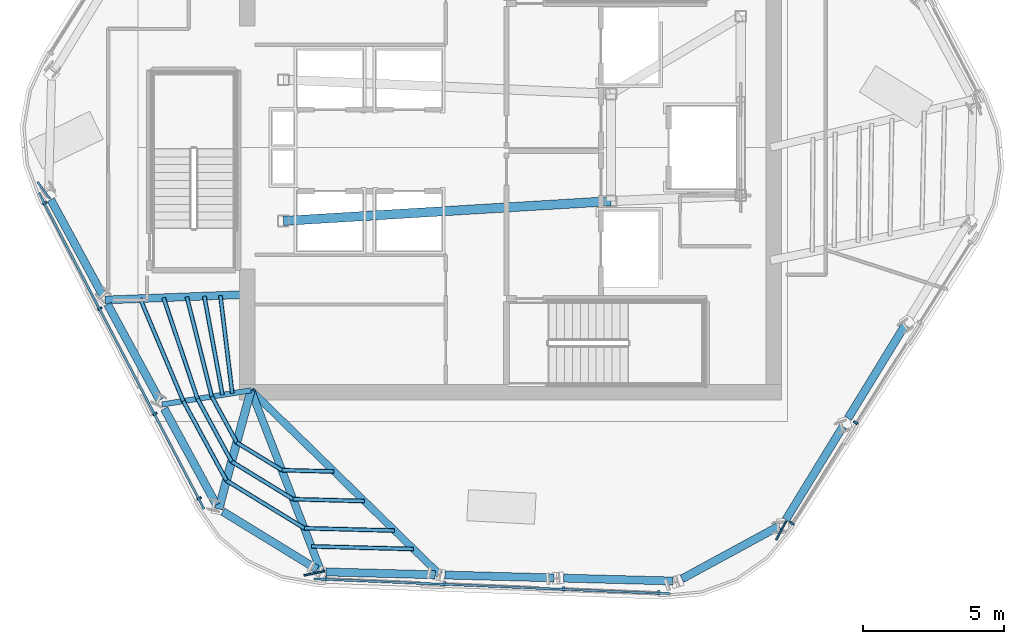
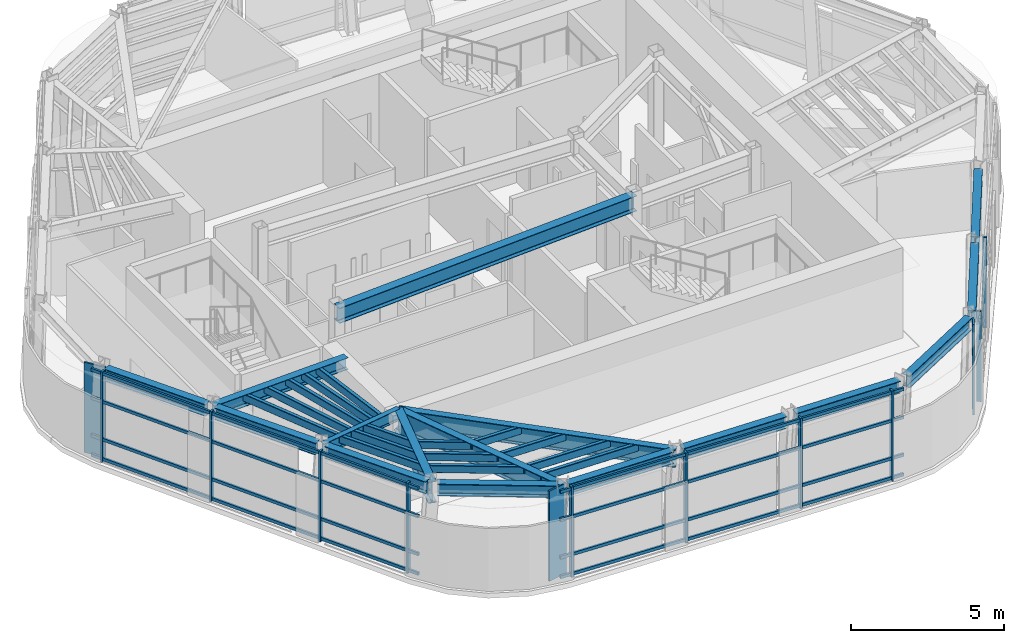
# One storey, part 2 of 13: 36 members, 16 beams, 3 elements without a shape of their own.
"""IFC4 building model written with IfcOpenShell, lengths in metres."""

from ifc_helpers import new_model, si_unit, direction, frame, origin, origin_2d, place, context, subcontext, project, spatial, rectangle, hollow_rectangle, i_section, extrude, material, layer, layer_set, material_profile, profile_set, type_object, element, aggregate, save


model = new_model("IFC4")

# Units and contexts
model_context = context("Model", 3, precision=1e-05, world=origin(), true_north=direction((0.0, 1.0)))
body_context = subcontext(model_context, "Body", "Model", "MODEL_VIEW")
ifc_project = project(units=[si_unit("LENGTHUNIT", "METRE"), si_unit("AREAUNIT", "SQUARE_METRE"), si_unit("VOLUMEUNIT", "CUBIC_METRE"), si_unit("PLANEANGLEUNIT", "RADIAN"), si_unit("MASSUNIT", "GRAM", prefix="KILO")], contexts=[model_context])

# Site, building, storey
site_placement = place(None, origin())
site = spatial("IfcSite", under=ifc_project, at=site_placement, CompositionType="ELEMENT")
building_placement = place(site_placement, origin())
building = spatial("IfcBuilding", under=site, at=building_placement, Name="Valkerne Bourse Tower", CompositionType="ELEMENT")
storey_placement = place(building_placement, frame((0.0, 0.0, 273.60009765625)))
storey = spatial("IfcBuildingStorey", under=building, at=storey_placement, Name="L69", CompositionType="ELEMENT", Elevation=273.60009765625)

# Beams
ifc_material_1 = material(Name="Steel ASTM A992", Category="steel")
ifc_material_profile_1 = material_profile(ifc_material_1, i_section(OverallWidth=0.284423828125, OverallDepth=0.47509765625, WebThickness=0.014892578125, FlangeThickness=0.02392578125, FilletRadius=0.017822265625, at=origin_2d()), Name="W18X106")
ifc_profile_set_1 = profile_set([ifc_material_profile_1], Name="Steel ASTM A992")
beam_type_1 = type_object("IfcBeamType", Name="BM-W18X106", PredefinedType="BEAM", material=ifc_profile_set_1)
for number, where, z_axis, x_axis, name in (
    (1, (30.509521484375, 25.15087890625, 3.3623046875), (0.477172563431, -0.878809618011, 0.0), (0.878809618011, 0.477172563431, 0.0), "L69 Hexagonal Spandrel Ring Beam 08"),
    (2, (32.519287109375, 21.44921875, 3.3623046875), (0.477172563431, -0.878809618011, 0.0), (0.878809618011, 0.477172563431, 0.0), "L69 Hexagonal Spandrel Ring Beam 09"),
    (3, (34.529052734375, 17.74755859375, 3.3623046875), (0.477172563431, -0.878809618011, 0.0), (0.878809618011, 0.477172563431, 0.0), "L69 Hexagonal Spandrel Ring Beam 10"),
):
    element("IfcBeam", number, at=place(storey_placement, frame(where, z_axis=z_axis, x_axis=x_axis)), inside=storey, type_object=beam_type_1, Name=name, PredefinedType="BEAM", context=body_context, shape_type="SweptSolid", body=[
        extrude(i_section(OverallWidth=0.284423828125, OverallDepth=0.47509765625, WebThickness=0.014892578125, FlangeThickness=0.02392578125, FilletRadius=0.017822265625, at=origin_2d()), origin(), (0.0, 0.0, 1.0), 3.8720703125),
    ])
beam_1_placement = place(storey_placement, frame((36.602783203125, 14.106689453125, 3.3623046875), z_axis=(0.852613797296, -0.522541589407, 0.0), x_axis=(0.522541589407, 0.852613797296, 0.0)))
element("IfcBeam", 4, at=beam_1_placement, inside=storey, type_object=beam_type_1, Name="L69 Hexagonal Spandrel Ring Beam 11", PredefinedType="BEAM", context=body_context, shape_type="SweptSolid", body=[
    extrude(i_section(OverallWidth=0.284423828125, OverallDepth=0.47509765625, WebThickness=0.014892578125, FlangeThickness=0.02392578125, FilletRadius=0.017822265625, at=origin_2d()), origin(), (0.0, 0.0, 1.0), 3.915771484375),
])
beam_2_placement = place(storey_placement, frame((40.256103515625, 11.96728515625, 3.3623046875), z_axis=(0.999657618241, -0.026165746551, 0.0), x_axis=(0.026165746551, 0.999657618241, 0.0)))
element("IfcBeam", 5, at=beam_2_placement, inside=storey, type_object=beam_type_1, Name="L69 Hexagonal Spandrel Ring Beam 12", PredefinedType="BEAM", context=body_context, shape_type="SweptSolid", body=[
    extrude(i_section(OverallWidth=0.284423828125, OverallDepth=0.47509765625, WebThickness=0.014892578125, FlangeThickness=0.02392578125, FilletRadius=0.017822265625, at=origin_2d()), origin(), (0.0, 0.0, 1.0), 3.8720703125),
])
beam_3_placement = place(storey_placement, frame((44.466796875, 11.857177734375, 3.3623046875), z_axis=(0.99965757507, -0.02616739584, 0.0), x_axis=(0.02616739584, 0.99965757507, 0.0)))
element("IfcBeam", 6, at=beam_3_placement, inside=storey, type_object=beam_type_1, Name="L69 Hexagonal Spandrel Ring Beam 13", PredefinedType="BEAM", context=body_context, shape_type="SweptSolid", body=[
    extrude(i_section(OverallWidth=0.284423828125, OverallDepth=0.47509765625, WebThickness=0.014892578125, FlangeThickness=0.02392578125, FilletRadius=0.017822265625, at=origin_2d()), origin(), (0.0, 0.0, 1.0), 3.871826171875),
])
beam_4_placement = place(storey_placement, frame((48.67724609375, 11.746826171875, 3.3623046875), z_axis=(0.999657618241, -0.026165746551, 0.0), x_axis=(0.026165746551, 0.999657618241, 0.0)))
element("IfcBeam", 7, at=beam_4_placement, inside=storey, type_object=beam_type_1, Name="L69 Hexagonal Spandrel Ring Beam 14", PredefinedType="BEAM", context=body_context, shape_type="SweptSolid", body=[
    extrude(i_section(OverallWidth=0.284423828125, OverallDepth=0.47509765625, WebThickness=0.014892578125, FlangeThickness=0.02392578125, FilletRadius=0.017822265625, at=origin_2d()), origin(), (0.0, 0.0, 1.0), 3.8720703125),
])
beam_5_placement = place(storey_placement, frame((52.867431640625, 11.72216796875, 3.3623046875), z_axis=(0.878816082178, 0.47716065817, 0.0), x_axis=(-0.47716065817, 0.878816082178, 0.0)))
element("IfcBeam", 8, at=beam_5_placement, inside=storey, type_object=beam_type_1, Name="L69 Hexagonal Spandrel Ring Beam 15", PredefinedType="BEAM", context=body_context, shape_type="SweptSolid", body=[
    extrude(i_section(OverallWidth=0.284423828125, OverallDepth=0.47509765625, WebThickness=0.014892578125, FlangeThickness=0.02392578125, FilletRadius=0.017822265625, at=origin_2d()), origin(), (0.0, 0.0, 1.0), 3.915771484375),
])
for number, where, z_axis, x_axis, name in (
    (9, (56.546630859375, 13.816650390625, 3.3623046875), (0.522502916633, 0.852637497481, 0.0), (-0.852637497481, 0.522502916633, 0.0), "L69 Hexagonal Spandrel Ring Beam 16"),
    (10, (58.74755859375, 17.407958984375, 3.3623046875), (0.52245707694, 0.852665586708, 0.0), (-0.852665586708, 0.52245707694, 0.0), "L69 Hexagonal Spandrel Ring Beam 17"),
):
    element("IfcBeam", number, at=place(storey_placement, frame(where, z_axis=z_axis, x_axis=x_axis)), inside=storey, type_object=beam_type_1, Name=name, PredefinedType="BEAM", context=body_context, shape_type="SweptSolid", body=[
        extrude(i_section(OverallWidth=0.284423828125, OverallDepth=0.47509765625, WebThickness=0.014892578125, FlangeThickness=0.02392578125, FilletRadius=0.017822265625, at=origin_2d()), origin(), (0.0, 0.0, 1.0), 3.8720703125),
    ])
ifc_material_profile_2 = material_profile(ifc_material_1, i_section(OverallWidth=0.1904296875, OverallDepth=0.457275390625, WebThickness=0.009033203125, FlangeThickness=0.014404296875, FilletRadius=0.01513671875, at=origin_2d()), Name="W18X50")
ifc_profile_set_2 = profile_set([ifc_material_profile_2], Name="Steel ASTM A992")
beam_type_2 = type_object("IfcBeamType", Name="BM-W18X50", PredefinedType="JOIST", material=ifc_profile_set_2)
beam_6_placement = place(storey_placement, frame((34.447998046875, 17.89697265625, 3.371337890625), z_axis=(0.987509268388, 0.157560924241, 0.0), x_axis=(-0.157560924241, 0.987509268388, 0.0)))
element("IfcBeam", 11, at=beam_6_placement, inside=storey, type_object=beam_type_2, Name="L69 Radial Composite Floor Beam 10", PredefinedType="JOIST", context=body_context, shape_type="SweptSolid", body=[
    extrude(i_section(OverallWidth=0.1904296875, OverallDepth=0.457275390625, WebThickness=0.009033203125, FlangeThickness=0.014404296875, FilletRadius=0.01513671875, at=origin_2d()), origin(), (0.0, 0.0, 1.0), 3.19189453125),
])
ifc_material_profile_3 = material_profile(ifc_material_1, i_section(OverallWidth=0.279296875, OverallDepth=0.46240234375, WebThickness=0.0107421875, FlangeThickness=0.017333984375, FilletRadius=0.017822265625, at=origin_2d()), Name="W18X76")
ifc_profile_set_3 = profile_set([ifc_material_profile_3], Name="Steel ASTM A992")
beam_type_3 = type_object("IfcBeamType", Name="BM-W18X76", PredefinedType="BEAM", material=ifc_profile_set_3)
beam_7_placement = place(storey_placement, frame((32.438232421875, 21.5986328125, 3.36865234375), z_axis=(0.999239587762, 0.038990335331, 0.0), x_axis=(-0.038990335331, 0.999239587762, 0.0)))
element("IfcBeam", 12, at=beam_7_placement, inside=storey, type_object=beam_type_3, Name="L69 Radial Composite Floor Beam 09", PredefinedType="BEAM", context=body_context, shape_type="SweptSolid", body=[
    extrude(i_section(OverallWidth=0.279296875, OverallDepth=0.46240234375, WebThickness=0.0107421875, FlangeThickness=0.017333984375, FilletRadius=0.017822265625, at=origin_2d()), origin(), (0.0, 0.0, 1.0), 5.165771484375),
])
ifc_material_profile_4 = material_profile(ifc_material_1, i_section(OverallWidth=0.3251953125, OverallDepth=0.612060546875, WebThickness=0.0126953125, FlangeThickness=0.01904296875, FilletRadius=0.020263671875, at=origin_2d()), Name="W24X104")
ifc_profile_set_4 = profile_set([ifc_material_profile_4], Name="Steel ASTM A992")
beam_type_4 = type_object("IfcBeamType", Name="BM-W24X104", PredefinedType="BEAM", material=ifc_profile_set_4)
beam_8_placement = place(storey_placement, frame((38.75, 24.39990234375, 3.293701171875), z_axis=(0.998183228389, 0.060251494276, 0.0), x_axis=(-0.060251494276, 0.998183228389, 0.0)))
element("IfcBeam", 13, at=beam_8_placement, inside=storey, type_object=beam_type_4, Name="L69 Core Frame Girder CG-SW", PredefinedType="BEAM", context=body_context, shape_type="SweptSolid", body=[
    extrude(i_section(OverallWidth=0.3251953125, OverallDepth=0.612060546875, WebThickness=0.0126953125, FlangeThickness=0.01904296875, FilletRadius=0.020263671875, at=origin_2d()), origin(), (0.0, 0.0, 1.0), 11.62109375),
])
ifc_material_profile_5 = material_profile(ifc_material_1, i_section(OverallWidth=0.255859375, OverallDepth=0.693359375, WebThickness=0.014404296875, FlangeThickness=0.023681640625, FilletRadius=0.02294921875, at=origin_2d()), Name="W27X114")
ifc_profile_set_5 = profile_set([ifc_material_profile_5], Name="Steel ASTM A992")
beam_type_5 = type_object("IfcBeamType", Name="BM-W27X114", PredefinedType="BEAM", material=ifc_profile_set_5)
beam_9_placement = place(storey_placement, frame((44.296875, 11.861572265625, 3.253173828125), z_axis=(-0.715520806461, 0.698591422451, 0.0), x_axis=(-0.698591422451, -0.715520806461, 0.0)))
element("IfcBeam", 14, at=beam_9_placement, inside=storey, type_object=beam_type_5, Name="L69 Radial Composite Floor Beam 13", PredefinedType="BEAM", context=body_context, shape_type="SweptSolid", body=[
    extrude(i_section(OverallWidth=0.255859375, OverallDepth=0.693359375, WebThickness=0.014404296875, FlangeThickness=0.023681640625, FilletRadius=0.02294921875, at=origin_2d()), origin(), (0.0, 0.0, 1.0), 9.359375),
])
ifc_material_profile_6 = material_profile(ifc_material_1, i_section(OverallWidth=0.26806640625, OverallDepth=0.76953125, WebThickness=0.015625, FlangeThickness=0.025390625, FilletRadius=0.025390625, at=origin_2d()), Name="W30X132")
ifc_profile_set_6 = profile_set([ifc_material_profile_6], Name="Steel ASTM A992")
beam_type_6 = type_object("IfcBeamType", Name="BM-W30X132", PredefinedType="BEAM", material=ifc_profile_set_6)
beam_10_placement = place(storey_placement, frame((40.086181640625, 11.9716796875, 3.215087890625), z_axis=(-0.360708877218, 0.932678457935, 0.0), x_axis=(-0.932678457935, -0.360708877218, 0.0)))
element("IfcBeam", 15, at=beam_10_placement, inside=storey, type_object=beam_type_6, Name="L69 Radial Composite Floor Beam 12", PredefinedType="BEAM", context=body_context, shape_type="SweptSolid", body=[
    extrude(i_section(OverallWidth=0.26806640625, OverallDepth=0.76953125, WebThickness=0.015625, FlangeThickness=0.025390625, FilletRadius=0.025390625, at=origin_2d()), origin(), (0.0, 0.0, 1.0), 6.892333984375),
])
ifc_material_profile_7 = material_profile(ifc_material_1, i_section(OverallWidth=0.2919921875, OverallDepth=0.8583984375, WebThickness=0.01708984375, FlangeThickness=0.031005859375, FilletRadius=0.025390625, at=origin_2d()), Name="W33X169")
ifc_profile_set_7 = profile_set([ifc_material_profile_7], Name="Steel ASTM A992")
beam_type_7 = type_object("IfcBeamType", Name="BM-W33X169", PredefinedType="BEAM", material=ifc_profile_set_7)
beam_11_placement = place(storey_placement, frame((36.457763671875, 14.1953125, 3.170654296875), z_axis=(0.262183238259, 0.965018108419, 0.0), x_axis=(-0.965018108419, 0.262183238259, 0.0)))
element("IfcBeam", 16, at=beam_11_placement, inside=storey, type_object=beam_type_7, Name="L69 Radial Composite Floor Beam 11", PredefinedType="BEAM", context=body_context, shape_type="SweptSolid", body=[
    extrude(i_section(OverallWidth=0.2919921875, OverallDepth=0.8583984375, WebThickness=0.01708984375, FlangeThickness=0.031005859375, FilletRadius=0.025390625, at=origin_2d()), origin(), (0.0, 0.0, 1.0), 4.35693359375),
])

# Curtain wall, members
ifc_material_2 = material(Name="Aluminium AA 6063-T6", Category="aluminium")
ifc_layer = layer(ifc_material_2, 0.2451171875)
ifc_layer_set = layer_set([ifc_layer], Name="Aluminium AA 6063-T6")
curtain_wall_type = type_object("IfcCurtainWallType", Name="CW-05", PredefinedType="NOTDEFINED", material=ifc_layer_set)
curtain_wall_1_placement = place(storey_placement, origin())
curtain_wall_1 = element("IfcCurtainWall", 17, at=curtain_wall_1_placement, inside=storey, type_object=curtain_wall_type, Name="L69 Hexagonal Stick Curtain Wall Face 3", PredefinedType="NOTDEFINED")
ifc_material_profile_8 = material_profile(ifc_material_2, rectangle(XDim=0.074951171875, YDim=0.159912109375, at=origin_2d()), Name="CWM-75X160")
ifc_profile_set_8 = profile_set([ifc_material_profile_8], Name="Aluminium AA 6063-T6")
member_type_1 = type_object("IfcMemberType", Name="CW-MUL-160X75", PredefinedType="MULLION", material=ifc_profile_set_8)
member_1_placement = place(storey_placement, frame((30.297119140625, 25.02783203125, 0.0), z_axis=(0.0, 0.0, 1.0), x_axis=(0.463294468527, -0.886204398225, 0.0)))
member_1 = element("IfcMember", 18, at=member_1_placement, type_object=member_type_1, Name="CW-L69-F3 Jamb Mullion 00A", PredefinedType="MULLION", context=body_context, shape_type="SweptSolid", body=[
    extrude(rectangle(XDim=0.074951171875, YDim=0.159912109375, at=origin_2d()), origin(), (0.0, 0.0, 1.0), 3.599853515625),
])
member_2_placement = place(storey_placement, frame((32.248291015625, 21.295166015625, 0.0), z_axis=(0.0, 0.0, 1.0), x_axis=(0.463294468527, -0.886204398225, 0.0)))
member_2 = element("IfcMember", 19, at=member_2_placement, type_object=member_type_1, Name="CW-L69-F3 Jamb Mullion 01A", PredefinedType="MULLION", context=body_context, shape_type="SweptSolid", body=[
    extrude(rectangle(XDim=0.074951171875, YDim=0.159912109375, at=origin_2d()), origin(), (0.0, 0.0, 1.0), 3.599853515625),
])
member_3_placement = place(storey_placement, frame((34.19970703125, 17.5625, 0.0), z_axis=(0.0, 0.0, 1.0), x_axis=(0.463294468527, -0.886204398225, 0.0)))
member_3 = element("IfcMember", 20, at=member_3_placement, type_object=member_type_1, Name="CW-L69-F3 Jamb Mullion 02A", PredefinedType="MULLION", context=body_context, shape_type="SweptSolid", body=[
    extrude(rectangle(XDim=0.074951171875, YDim=0.159912109375, at=origin_2d()), origin(), (0.0, 0.0, 1.0), 3.599853515625),
])
member_4_placement = place(storey_placement, frame((35.761962890625, 14.57421875, 0.0), z_axis=(0.0, 0.0, 1.0), x_axis=(0.463294468527, -0.886204398225, 0.0)))
member_4 = element("IfcMember", 21, at=member_4_placement, type_object=member_type_1, Name="CW-L69-F3 Jamb Mullion 02B", PredefinedType="MULLION", context=body_context, shape_type="SweptSolid", body=[
    extrude(rectangle(XDim=0.074951171875, YDim=0.159912109375, at=origin_2d()), origin(), (0.0, 0.0, 1.0), 3.599853515625),
])

curtain_wall_2_placement = place(storey_placement, origin())
curtain_wall_2 = element("IfcCurtainWall", 22, at=curtain_wall_2_placement, inside=storey, type_object=curtain_wall_type, Name="L69 Hexagonal Stick Curtain Wall Face 4", PredefinedType="NOTDEFINED")
member_5_placement = place(storey_placement, frame((40.256591796875, 11.721923828125, 0.0), z_axis=(0.0, 0.0, 1.0), x_axis=(0.999122631709, -0.041880386903, 0.0)))
member_5 = element("IfcMember", 23, at=member_5_placement, type_object=member_type_1, Name="CW-L69-F4 Jamb Mullion 00A", PredefinedType="MULLION", context=body_context, shape_type="SweptSolid", body=[
    extrude(rectangle(XDim=0.074951171875, YDim=0.159912109375, at=origin_2d()), origin(), (0.0, 0.0, 1.0), 3.599853515625),
])
member_6_placement = place(storey_placement, frame((44.46484375, 11.54541015625, 0.0), z_axis=(0.0, 0.0, 1.0), x_axis=(0.999122631709, -0.041880386903, 0.0)))
member_6 = element("IfcMember", 24, at=member_6_placement, type_object=member_type_1, Name="CW-L69-F4 Jamb Mullion 01A", PredefinedType="MULLION", context=body_context, shape_type="SweptSolid", body=[
    extrude(rectangle(XDim=0.074951171875, YDim=0.159912109375, at=origin_2d()), origin(), (0.0, 0.0, 1.0), 3.599853515625),
])
member_7_placement = place(storey_placement, frame((48.673095703125, 11.369140625, 0.0), z_axis=(0.0, 0.0, 1.0), x_axis=(0.999122631709, -0.041880386903, 0.0)))
member_7 = element("IfcMember", 25, at=member_7_placement, type_object=member_type_1, Name="CW-L69-F4 Jamb Mullion 02A", PredefinedType="MULLION", context=body_context, shape_type="SweptSolid", body=[
    extrude(rectangle(XDim=0.074951171875, YDim=0.159912109375, at=origin_2d()), origin(), (0.0, 0.0, 1.0), 3.599853515625),
])
member_8_placement = place(storey_placement, frame((52.0419921875, 11.227783203125, 0.0), z_axis=(0.0, 0.0, 1.0), x_axis=(0.999122631709, -0.041880386903, 0.0)))
member_8 = element("IfcMember", 26, at=member_8_placement, type_object=member_type_1, Name="CW-L69-F4 Jamb Mullion 02B", PredefinedType="MULLION", context=body_context, shape_type="SweptSolid", body=[
    extrude(rectangle(XDim=0.074951171875, YDim=0.159912109375, at=origin_2d()), origin(), (0.0, 0.0, 1.0), 3.599853515625),
])

curtain_wall_3_placement = place(storey_placement, origin())
curtain_wall_3 = element("IfcCurtainWall", 27, at=curtain_wall_3_placement, inside=storey, type_object=curtain_wall_type, Name="L69 Hexagonal Stick Curtain Wall Face 5", PredefinedType="NOTDEFINED")
member_9_placement = place(storey_placement, frame((56.759521484375, 13.694091796875, 0.0), z_axis=(0.0, 0.0, 1.0), x_axis=(0.535816628188, 0.844334377458, 0.0)))
member_9 = element("IfcMember", 28, at=member_9_placement, type_object=member_type_1, Name="CW-L69-F5 Jamb Mullion 00A", PredefinedType="MULLION", context=body_context, shape_type="SweptSolid", body=[
    extrude(rectangle(XDim=0.074951171875, YDim=0.159912109375, at=origin_2d()), origin(), (0.0, 0.0, 1.0), 3.599853515625),
])
member_10_placement = place(storey_placement, frame((59.016357421875, 17.25048828125, 0.0), z_axis=(0.0, 0.0, 1.0), x_axis=(0.535827369105, 0.84432756115, 0.0)))
member_10 = element("IfcMember", 29, at=member_10_placement, type_object=member_type_1, Name="CW-L69-F5 Jamb Mullion 01A", PredefinedType="MULLION", context=body_context, shape_type="SweptSolid", body=[
    extrude(rectangle(XDim=0.074951171875, YDim=0.159912109375, at=origin_2d()), origin(), (0.0, 0.0, 1.0), 3.599853515625),
])
aggregate(curtain_wall_3, [member_9, member_10])

# Member
ifc_material_profile_9 = material_profile(ifc_material_2, rectangle(XDim=0.074951171875, YDim=0.1201171875, at=origin_2d()), Name="CWT-75X120")
ifc_profile_set_9 = profile_set([ifc_material_profile_9], Name="Aluminium AA 6063-T6")
member_type_2 = type_object("IfcMemberType", Name="CW-TRN-120X75", PredefinedType="USERDEFINED", material=ifc_profile_set_9)
member_11_placement = place(storey_placement, frame((30.084716796875, 25.390625, 0.119873046875), z_axis=(0.463300767472, -0.886201105201, 0.0), x_axis=(0.886201105201, 0.463300767472, 0.0)))
member_11 = element("IfcMember", 30, at=member_11_placement, type_object=member_type_2, Name="CW-L69-F3 Continuous Face Transom 1", ObjectType="TRANSOM", PredefinedType="USERDEFINED", context=body_context, shape_type="SweptSolid", body=[
    extrude(rectangle(XDim=0.074951171875, YDim=0.1201171875, at=origin_2d()), origin(), (0.0, 0.0, 1.0), 12.635986328125),
])

member_12_placement = place(storey_placement, frame((30.084716796875, 25.390625, 0.89990234375), z_axis=(0.463300767472, -0.886201105201, 0.0), x_axis=(0.886201105201, 0.463300767472, 0.0)))
member_12 = element("IfcMember", 31, at=member_12_placement, type_object=member_type_2, Name="CW-L69-F3 Continuous Face Transom 2", ObjectType="TRANSOM", PredefinedType="USERDEFINED", context=body_context, shape_type="SweptSolid", body=[
    extrude(rectangle(XDim=0.074951171875, YDim=0.1201171875, at=origin_2d()), origin(), (0.0, 0.0, 1.0), 12.635986328125),
])

member_13_placement = place(storey_placement, frame((30.084716796875, 25.390625, 2.39990234375), z_axis=(0.463300767472, -0.886201105201, 0.0), x_axis=(0.886201105201, 0.463300767472, 0.0)))
member_13 = element("IfcMember", 32, at=member_13_placement, type_object=member_type_2, Name="CW-L69-F3 Continuous Face Transom 3", ObjectType="TRANSOM", PredefinedType="USERDEFINED", context=body_context, shape_type="SweptSolid", body=[
    extrude(rectangle(XDim=0.074951171875, YDim=0.1201171875, at=origin_2d()), origin(), (0.0, 0.0, 1.0), 12.635986328125),
])

member_14_placement = place(storey_placement, frame((30.084716796875, 25.390625, 3.52001953125), z_axis=(0.463300767472, -0.886201105201, 0.0), x_axis=(0.886201105201, 0.463300767472, 0.0)))
member_14 = element("IfcMember", 33, at=member_14_placement, type_object=member_type_2, Name="CW-L69-F3 Continuous Face Transom 4", ObjectType="TRANSOM", PredefinedType="USERDEFINED", context=body_context, shape_type="SweptSolid", body=[
    extrude(rectangle(XDim=0.074951171875, YDim=0.1201171875, at=origin_2d()), origin(), (0.0, 0.0, 1.0), 12.635986328125),
])

aggregate(curtain_wall_1, [member_11, member_12, member_13, member_14, member_1, member_2, member_3, member_4])

member_15_placement = place(storey_placement, frame((39.8359375, 11.719482421875, 0.119873046875), z_axis=(0.999122324767, -0.041887708851, 0.0), x_axis=(0.041887708851, 0.999122324767, 0.0)))
member_15 = element("IfcMember", 34, at=member_15_placement, type_object=member_type_2, Name="CW-L69-F4 Continuous Face Transom 1", ObjectType="TRANSOM", PredefinedType="USERDEFINED", context=body_context, shape_type="SweptSolid", body=[
    extrude(rectangle(XDim=0.074951171875, YDim=0.1201171875, at=origin_2d()), origin(), (0.0, 0.0, 1.0), 12.635986328125),
])

member_16_placement = place(storey_placement, frame((39.8359375, 11.719482421875, 0.89990234375), z_axis=(0.999122324767, -0.041887708851, 0.0), x_axis=(0.041887708851, 0.999122324767, 0.0)))
member_16 = element("IfcMember", 35, at=member_16_placement, type_object=member_type_2, Name="CW-L69-F4 Continuous Face Transom 2", ObjectType="TRANSOM", PredefinedType="USERDEFINED", context=body_context, shape_type="SweptSolid", body=[
    extrude(rectangle(XDim=0.074951171875, YDim=0.1201171875, at=origin_2d()), origin(), (0.0, 0.0, 1.0), 12.635986328125),
])

member_17_placement = place(storey_placement, frame((39.8359375, 11.719482421875, 2.39990234375), z_axis=(0.999122324767, -0.041887708851, 0.0), x_axis=(0.041887708851, 0.999122324767, 0.0)))
member_17 = element("IfcMember", 36, at=member_17_placement, type_object=member_type_2, Name="CW-L69-F4 Continuous Face Transom 3", ObjectType="TRANSOM", PredefinedType="USERDEFINED", context=body_context, shape_type="SweptSolid", body=[
    extrude(rectangle(XDim=0.074951171875, YDim=0.1201171875, at=origin_2d()), origin(), (0.0, 0.0, 1.0), 12.635986328125),
])

member_18_placement = place(storey_placement, frame((39.8359375, 11.719482421875, 3.52001953125), z_axis=(0.999122324767, -0.041887708851, 0.0), x_axis=(0.041887708851, 0.999122324767, 0.0)))
member_18 = element("IfcMember", 37, at=member_18_placement, type_object=member_type_2, Name="CW-L69-F4 Continuous Face Transom 4", ObjectType="TRANSOM", PredefinedType="USERDEFINED", context=body_context, shape_type="SweptSolid", body=[
    extrude(rectangle(XDim=0.074951171875, YDim=0.1201171875, at=origin_2d()), origin(), (0.0, 0.0, 1.0), 12.635986328125),
])

aggregate(curtain_wall_2, [member_15, member_16, member_17, member_18, member_5, member_6, member_7, member_8])

# Members
ifc_material_3 = material(Name="Bronze Anodised Aluminium AA 6063-T6", Category="aluminium")
ifc_material_profile_10 = material_profile(ifc_material_3, rectangle(XDim=0.06494140625, YDim=0.75, at=origin_2d()), Name="FIN-65X750")
ifc_profile_set_10 = profile_set([ifc_material_profile_10], Name="Bronze Anodised Aluminium AA 6063-T6")
member_type_3 = type_object("IfcMemberType", Name="FIN-SOLAR-650", PredefinedType="USERDEFINED", material=ifc_profile_set_10)
for number, where, z_axis, x_axis, name in (
    (38, (30.261962890625, 25.4833984375, 0.00390625), (0.0, 0.0, 1.0), (-0.800698609142, -0.59906738963, 0.0), "L69 Bronze Anodised Solar Fin F3-00"),
    (39, (39.844482421875, 11.919189453125, 0.00390625), (0.0, 0.0, 1.0), (0.196593707981, -0.980485040162, 0.0), "L69 Bronze Anodised Solar Fin F4-00"),
    (40, (56.382568359375, 13.435791015625, 0.00390625), (0.0, 0.0, 1.0), (0.884054360388, -0.467384090314, 0.0), "L69 Bronze Anodised Solar Fin F5-00"),
):
    element("IfcMember", number, at=place(storey_placement, frame(where, z_axis=z_axis, x_axis=x_axis)), inside=storey, type_object=member_type_3, Name=name, ObjectType="SOLAR_FIN", PredefinedType="USERDEFINED", context=body_context, shape_type="SweptSolid", body=[
        extrude(rectangle(XDim=0.06494140625, YDim=0.75, at=origin_2d()), origin(), (0.0, 0.0, 1.0), 3.592041015625),
    ])
ifc_material_4 = material(Name="Steel ASTM A500 Grade C", Category="steel")
ifc_material_profile_11 = material_profile(ifc_material_4, hollow_rectangle(XDim=0.14990234375, YDim=0.300048828125, WallThickness=0.012451171875, OuterFilletRadius=0.02490234375, at=origin_2d()), Name="HSS300X150X12.5")
ifc_profile_set_11 = profile_set([ifc_material_profile_11], Name="Steel ASTM A500 Grade C")
member_type_4 = type_object("IfcMemberType", Name="MBR-HSS300X150X12.5", PredefinedType="PURLIN", material=ifc_profile_set_11)
member_19_placement = place(storey_placement, frame((35.9482421875, 21.735595703125, 3.43994140625), z_axis=(0.180879275049, -0.983505306472, 0.0), x_axis=(0.983505306472, 0.180879275049, 0.0)))
element("IfcMember", 41, at=member_19_placement, inside=storey, type_object=member_type_4, Name="L69 Secondary Composite Floor Purlin I-09", PredefinedType="PURLIN", context=body_context, shape_type="SweptSolid", body=[
    extrude(hollow_rectangle(XDim=0.14990234375, YDim=0.300048828125, WallThickness=0.012451171875, OuterFilletRadius=0.02490234375, at=origin_2d()), origin(), (0.0, 0.0, 1.0), 3.55517578125),
])
member_20_placement = place(storey_placement, frame((35.328857421875, 21.71142578125, 3.43994140625), z_axis=(0.242819549549, -0.97007147487, 0.0), x_axis=(0.97007147487, 0.242819549549, 0.0)))
element("IfcMember", 42, at=member_20_placement, inside=storey, type_object=member_type_4, Name="L69 Secondary Composite Floor Purlin K-09", PredefinedType="PURLIN", context=body_context, shape_type="SweptSolid", body=[
    extrude(hollow_rectangle(XDim=0.14990234375, YDim=0.300048828125, WallThickness=0.012451171875, OuterFilletRadius=0.02490234375, at=origin_2d()), origin(), (0.0, 0.0, 1.0), 3.6416015625),
])
member_21_placement = place(storey_placement, frame((36.213134765625, 18.1787109375, 3.43994140625), z_axis=(0.477152912824, -0.878820287535, 0.0), x_axis=(0.878820287535, 0.477152912824, 0.0)))
element("IfcMember", 43, at=member_21_placement, inside=storey, type_object=member_type_4, Name="L69 Secondary Composite Floor Purlin K-10", PredefinedType="PURLIN", context=body_context, shape_type="SweptSolid", body=[
    extrude(hollow_rectangle(XDim=0.14990234375, YDim=0.300048828125, WallThickness=0.012451171875, OuterFilletRadius=0.02490234375, at=origin_2d()), origin(), (0.0, 0.0, 1.0), 1.853271484375),
])
member_22_placement = place(storey_placement, frame((37.097412109375, 16.550048828125, 3.43994140625), z_axis=(0.852623736113, -0.522525372223, 0.0), x_axis=(0.522525372223, 0.852623736113, 0.0)))
element("IfcMember", 44, at=member_22_placement, inside=storey, type_object=member_type_4, Name="L69 Secondary Composite Floor Purlin K-11", PredefinedType="PURLIN", context=body_context, shape_type="SweptSolid", body=[
    extrude(hollow_rectangle(XDim=0.14990234375, YDim=0.300048828125, WallThickness=0.012451171875, OuterFilletRadius=0.02490234375, at=origin_2d()), origin(), (0.0, 0.0, 1.0), 1.87255859375),
])
member_23_placement = place(storey_placement, frame((38.694091796875, 15.571533203125, 3.43994140625), z_axis=(0.999659729711, -0.026084953411, 0.0), x_axis=(0.026084953411, 0.999659729711, 0.0)))
element("IfcMember", 45, at=member_23_placement, inside=storey, type_object=member_type_4, Name="L69 Secondary Composite Floor Purlin K-12", PredefinedType="PURLIN", context=body_context, shape_type="SweptSolid", body=[
    extrude(hollow_rectangle(XDim=0.14990234375, YDim=0.300048828125, WallThickness=0.012451171875, OuterFilletRadius=0.02490234375, at=origin_2d()), origin(), (0.0, 0.0, 1.0), 1.853271484375),
])
member_24_placement = place(storey_placement, frame((33.677001953125, 21.64697265625, 3.43994140625), z_axis=(0.38793226765, -0.921687884111, 0.0), x_axis=(0.921687884111, 0.38793226765, 0.0)))
element("IfcMember", 46, at=member_24_placement, inside=storey, type_object=member_type_4, Name="L69 Secondary Composite Floor Purlin O-09", PredefinedType="PURLIN", context=body_context, shape_type="SweptSolid", body=[
    extrude(hollow_rectangle(XDim=0.14990234375, YDim=0.300048828125, WallThickness=0.012451171875, OuterFilletRadius=0.02490234375, at=origin_2d()), origin(), (0.0, 0.0, 1.0), 3.937744140625),
])
member_25_placement = place(storey_placement, frame((35.20458984375, 18.017578125, 3.43994140625), z_axis=(0.477162555558, -0.878815051972, 0.0), x_axis=(0.878815051972, 0.477162555558, 0.0)))
element("IfcMember", 47, at=member_25_placement, inside=storey, type_object=member_type_4, Name="L69 Secondary Composite Floor Purlin O-10", PredefinedType="PURLIN", context=body_context, shape_type="SweptSolid", body=[
    extrude(hollow_rectangle(XDim=0.14990234375, YDim=0.300048828125, WallThickness=0.012451171875, OuterFilletRadius=0.02490234375, at=origin_2d()), origin(), (0.0, 0.0, 1.0), 3.200927734375),
])
member_26_placement = place(storey_placement, frame((36.73193359375, 15.20458984375, 3.43994140625), z_axis=(0.852626204419, -0.522521344576, 0.0), x_axis=(0.522521344576, 0.852626204419, 0.0)))
element("IfcMember", 48, at=member_26_placement, inside=storey, type_object=member_type_4, Name="L69 Secondary Composite Floor Purlin O-11", PredefinedType="PURLIN", context=body_context, shape_type="SweptSolid", body=[
    extrude(hollow_rectangle(XDim=0.14990234375, YDim=0.300048828125, WallThickness=0.012451171875, OuterFilletRadius=0.02490234375, at=origin_2d()), origin(), (0.0, 0.0, 1.0), 3.234130859375),
])
member_27_placement = place(storey_placement, frame((39.489501953125, 13.5146484375, 3.43994140625), z_axis=(0.999657813856, -0.026158272059, 0.0), x_axis=(0.026158272059, 0.999657813856, 0.0)))
element("IfcMember", 49, at=member_27_placement, inside=storey, type_object=member_type_4, Name="L69 Secondary Composite Floor Purlin O-12", PredefinedType="PURLIN", context=body_context, shape_type="SweptSolid", body=[
    extrude(hollow_rectangle(XDim=0.14990234375, YDim=0.300048828125, WallThickness=0.012451171875, OuterFilletRadius=0.02490234375, at=origin_2d()), origin(), (0.0, 0.0, 1.0), 3.201171875),
])
member_28_placement = place(storey_placement, frame((34.5029296875, 21.67919921875, 3.43994140625), z_axis=(0.31911441855, -0.947716195848, 0.0), x_axis=(0.947716195848, 0.31911441855, 0.0)))
element("IfcMember", 50, at=member_28_placement, inside=storey, type_object=member_type_4, Name="L69 Secondary Composite Floor Purlin Z-09", PredefinedType="PURLIN", context=body_context, shape_type="SweptSolid", body=[
    extrude(hollow_rectangle(XDim=0.14990234375, YDim=0.300048828125, WallThickness=0.012451171875, OuterFilletRadius=0.02490234375, at=origin_2d()), origin(), (0.0, 0.0, 1.0), 3.778564453125),
])
member_29_placement = place(storey_placement, frame((35.708740234375, 18.09814453125, 3.43994140625), z_axis=(0.47721337208, -0.878787458666, 0.0), x_axis=(0.878787458666, 0.47721337208, 0.0)))
element("IfcMember", 51, at=member_29_placement, inside=storey, type_object=member_type_4, Name="L69 Secondary Composite Floor Purlin Z-10", PredefinedType="PURLIN", context=body_context, shape_type="SweptSolid", body=[
    extrude(hollow_rectangle(XDim=0.14990234375, YDim=0.300048828125, WallThickness=0.012451171875, OuterFilletRadius=0.02490234375, at=origin_2d()), origin(), (0.0, 0.0, 1.0), 2.52734375),
])
member_30_placement = place(storey_placement, frame((36.914794921875, 15.877197265625, 3.43994140625), z_axis=(0.852654845021, -0.522474607289, 0.0), x_axis=(0.522474607289, 0.852654845021, 0.0)))
element("IfcMember", 52, at=member_30_placement, inside=storey, type_object=member_type_4, Name="L69 Secondary Composite Floor Purlin Z-11", PredefinedType="PURLIN", context=body_context, shape_type="SweptSolid", body=[
    extrude(hollow_rectangle(XDim=0.14990234375, YDim=0.300048828125, WallThickness=0.012451171875, OuterFilletRadius=0.02490234375, at=origin_2d()), origin(), (0.0, 0.0, 1.0), 2.55322265625),
])
member_31_placement = place(storey_placement, frame((39.091796875, 14.543212890625, 3.43994140625), z_axis=(0.999657253979, -0.026179659434, 0.0), x_axis=(0.026179659434, 0.999657253979, 0.0)))
element("IfcMember", 53, at=member_31_placement, inside=storey, type_object=member_type_4, Name="L69 Secondary Composite Floor Purlin Z-12", PredefinedType="PURLIN", context=body_context, shape_type="SweptSolid", body=[
    extrude(hollow_rectangle(XDim=0.14990234375, YDim=0.300048828125, WallThickness=0.012451171875, OuterFilletRadius=0.02490234375, at=origin_2d()), origin(), (0.0, 0.0, 1.0), 2.52734375),
])
member_32_placement = place(storey_placement, frame((36.51611328125, 21.7578125, 3.43994140625), z_axis=(0.120916475363, -0.992662684896, 0.0), x_axis=(0.992662684896, 0.120916475363, 0.0)))
element("IfcMember", 54, at=member_32_placement, inside=storey, type_object=member_type_4, Name="L69 Secondary Composite Floor Purlin S-09", PredefinedType="PURLIN", context=body_context, shape_type="SweptSolid", body=[
    extrude(hollow_rectangle(XDim=0.14990234375, YDim=0.300048828125, WallThickness=0.012451171875, OuterFilletRadius=0.02490234375, at=origin_2d()), origin(), (0.0, 0.0, 1.0), 3.489013671875),
])
member_33_placement = place(storey_placement, frame((39.73828125, 12.87158203125, 3.43994140625), z_axis=(0.9996597714, -0.026083355686, 0.0), x_axis=(0.026083355686, 0.9996597714, 0.0)))
element("IfcMember", 55, at=member_33_placement, inside=storey, type_object=member_type_4, Name="L69 Secondary Composite Floor Purlin T-12", PredefinedType="PURLIN", context=body_context, shape_type="SweptSolid", body=[
    extrude(hollow_rectangle(XDim=0.14990234375, YDim=0.300048828125, WallThickness=0.012451171875, OuterFilletRadius=0.02490234375, at=origin_2d()), origin(), (0.0, 0.0, 1.0), 3.622314453125),
])

save(model, "model.ifc")
